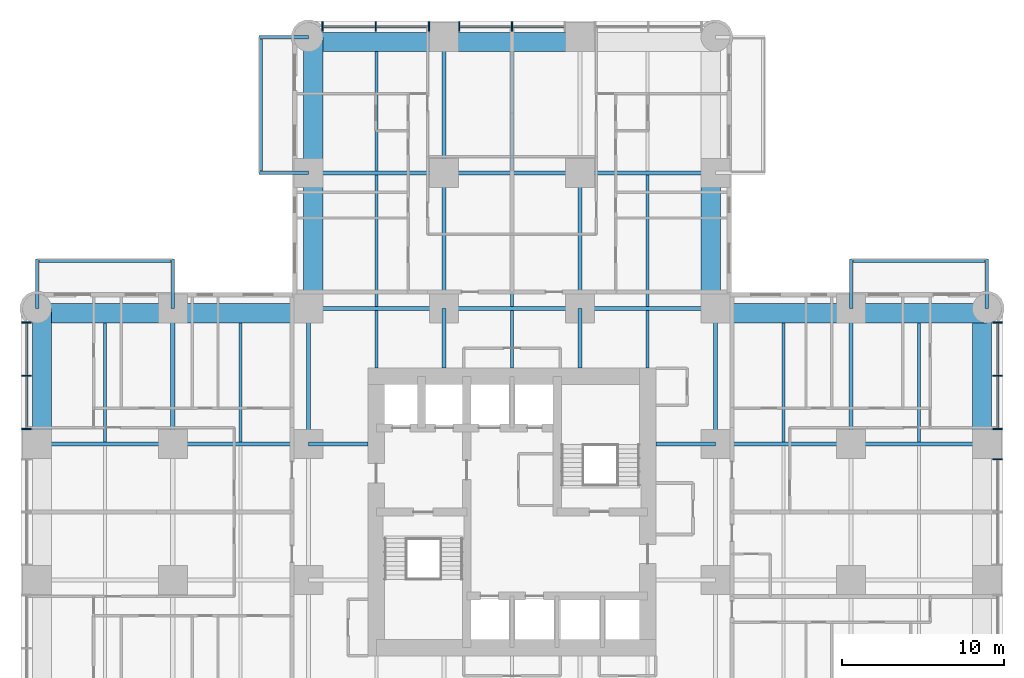
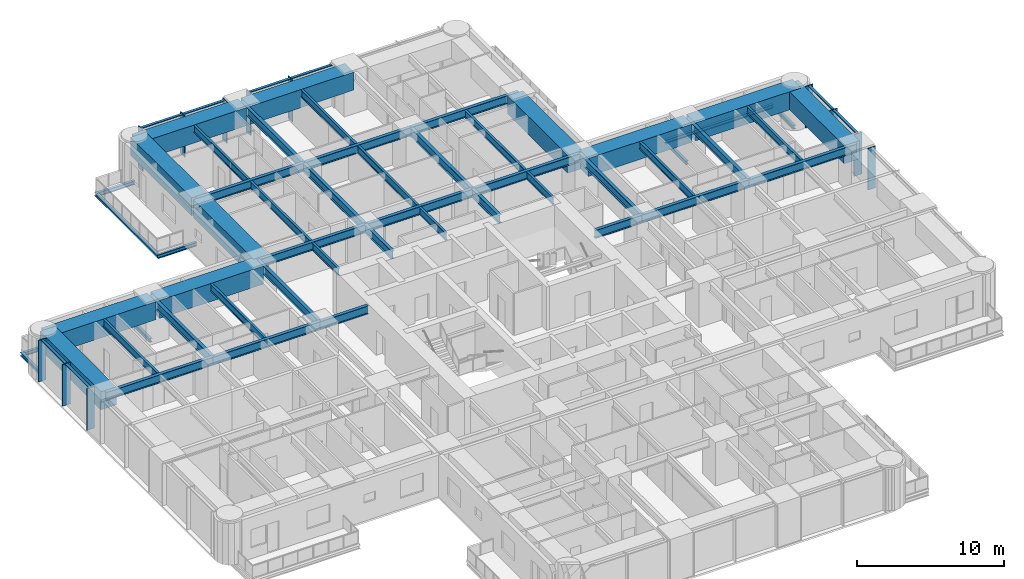
# One storey, part 4 of 17: 53 beams, 20 members, 3 elements without a shape of their own.
"""IFC4 building model written with IfcOpenShell, lengths in metres."""

import ifcopenshell
import ifcopenshell.guid

model = None  # the IFC model being written
_history = None  # IfcOwnerHistory: only IFC2X3 demands one
_inside = {}  # id of a spatial element -> (the spatial element, [elements in it])
_under = {}  # id of a project, library or spatial element -> (it, [spatial elements below it])
_declared = {}  # id of a project -> (the project, [libraries it declares])
_typed = {}  # id of a type object -> (the type object, [elements of that type])
_made_of = {}  # id of a material, layer set ... -> (it, [elements and type objects made of it])


def new_model(schema):
    """Start an empty IFC model of exactly this schema.

    Asked for "IFC4X3", IfcOpenShell would pick the latest addendum, in which some entities
    have other attributes; the version numbers below select the first issue.
    IFC2X3 requires an IfcOwnerHistory on every rooted entity: one is made here for all.
    """
    global model, _history
    if schema == "IFC4X3":
        model = ifcopenshell.file(schema_version=(4, 3, 0, 0))
    else:
        model = ifcopenshell.file(schema=schema)
    _inside.clear()
    _under.clear()
    _declared.clear()
    _typed.clear()
    _made_of.clear()
    _history = None
    if model.schema == "IFC2X3":
        org = make("IfcOrganization", Name="unknown")
        user = make(
            "IfcPersonAndOrganization",
            ThePerson=make("IfcPerson", FamilyName="unknown"),
            TheOrganization=org,
        )
        app = make(
            "IfcApplication",
            ApplicationDeveloper=org,
            Version="unknown",
            ApplicationFullName="unknown",
            ApplicationIdentifier="unknown",
        )
        _history = make(
            "IfcOwnerHistory",
            OwningUser=user,
            OwningApplication=app,
            ChangeAction="ADDED",
            CreationDate=0,
        )
    return model


def make(cls, **values):
    """One entity of the class cls with the attributes given. An attribute that is None is left unset."""
    return model.create_entity(
        cls, **{name: value for name, value in values.items() if value is not None}
    )


def rooted(cls, **values):
    """An entity with a GlobalId (a new one), such as an element, a storey or a relation."""
    return make(cls, GlobalId=ifcopenshell.guid.new(), OwnerHistory=_history, **values)


def si_unit(unit_type, name, prefix=None):
    """IfcSIUnit, for example si_unit("LENGTHUNIT", "METRE", prefix="MILLI")."""
    return make("IfcSIUnit", UnitType=unit_type, Prefix=prefix, Name=name)


def assignment(units):
    """IfcUnitAssignment: the units of a project."""
    return None if units is None else make("IfcUnitAssignment", Units=units)


def point(xyz):
    """IfcCartesianPoint."""
    return None if xyz is None else make("IfcCartesianPoint", Coordinates=xyz)


def direction(xyz):
    """IfcDirection."""
    return None if xyz is None else make("IfcDirection", DirectionRatios=xyz)


def frame(location, z_axis=None, x_axis=None):
    """IfcAxis2Placement3D, a coordinate frame: its origin and axes. An axis left out is left unset."""
    return make(
        "IfcAxis2Placement3D",
        Location=point(location),
        Axis=direction(z_axis),
        RefDirection=direction(x_axis),
    )


def frame_2d(location, x_axis=None):
    """IfcAxis2Placement2D, a coordinate frame in the plane: its origin and x axis."""
    return make(
        "IfcAxis2Placement2D", Location=point(location), RefDirection=direction(x_axis)
    )


def origin():
    """The frame at (0, 0, 0) with its axes left unset."""
    return frame((0.0, 0.0, 0.0))


def origin_2d():
    """The frame at (0, 0) in the plane with its x axis left unset."""
    return frame_2d((0.0, 0.0))


def place(relative_to, where):
    """IfcLocalPlacement: puts the frame where relative to a parent placement (None: the world)."""
    return make(
        "IfcLocalPlacement", PlacementRelTo=relative_to, RelativePlacement=where
    )


def context(
    kind, dimensions, precision=None, world=None, true_north=None, identifier=None
):
    """IfcGeometricRepresentationContext, for example the 3D "Model" context."""
    return make(
        "IfcGeometricRepresentationContext",
        ContextIdentifier=identifier,
        ContextType=kind,
        CoordinateSpaceDimension=dimensions,
        Precision=precision,
        WorldCoordinateSystem=world,
        TrueNorth=true_north,
    )


def subcontext(parent, identifier, kind, view, scale=None):
    """IfcGeometricRepresentationSubContext, for example "Body" below "Model"."""
    return make(
        "IfcGeometricRepresentationSubContext",
        ContextIdentifier=identifier,
        ContextType=kind,
        ParentContext=parent,
        TargetScale=scale,
        TargetView=view,
    )


def project(units=None, contexts=None):
    """IfcProject with its units and contexts."""
    return rooted(
        "IfcProject",
        Name="project",
        RepresentationContexts=contexts,
        UnitsInContext=assignment(units),
    )


def spatial(cls, under=None, at=None, **own):
    """A site, building, storey or space (cls), placed at a placement, below another one or the project."""
    s = rooted(cls, ObjectPlacement=at, **own)
    if under is not None:
        _under.setdefault(under.id(), (under, []))[1].append(s)
    return s


def profile(cls, at=None, kind="AREA", **sizes):
    """A parametric profile (cls). Its sizes go by their IFC names, for example OverallWidth=200.0."""
    return make(cls, ProfileType=kind, Position=at, **sizes)


def rectangle(**sizes):
    """IfcRectangleProfileDef."""
    return profile("IfcRectangleProfileDef", **sizes)


def i_section(**sizes):
    """IfcIShapeProfileDef."""
    return profile("IfcIShapeProfileDef", **sizes)


def extrude(swept, where, along, depth):
    """IfcExtrudedAreaSolid: the profile swept, set in the frame where, extruded along a direction by depth."""
    return make(
        "IfcExtrudedAreaSolid",
        SweptArea=swept,
        Position=where,
        ExtrudedDirection=direction(along),
        Depth=depth,
    )


def shape(context_of_items, identifier, shape_type, items):
    """IfcShapeRepresentation: the items that make up one representation, for example the "Body"."""
    return make(
        "IfcShapeRepresentation",
        ContextOfItems=context_of_items,
        RepresentationIdentifier=identifier,
        RepresentationType=shape_type,
        Items=items,
    )


def material(Name=None, Category=None):
    """IfcMaterial."""
    return make("IfcMaterial", Name=Name, Category=Category)


def material_profile(
    of_material, cross_section, Name=None, Category=None, Priority=None
):
    """IfcMaterialProfile: a cross section and its material."""
    return make(
        "IfcMaterialProfile",
        Name=Name,
        Material=of_material,
        Profile=cross_section,
        Priority=Priority,
        Category=Category,
    )


def profile_set(profiles, Name=None, composite=None):
    """IfcMaterialProfileSet."""
    return make(
        "IfcMaterialProfileSet",
        Name=Name,
        MaterialProfiles=profiles,
        CompositeProfile=composite,
    )


def made_of(thing, what):
    """Note that an element or type object is made of a material, layer set ...; save() writes the relation."""
    if what is not None:
        _made_of.setdefault(what.id(), (what, []))[1].append(thing)
    return thing


def type_object(cls, material=None, **own):
    """A type object (cls), such as IfcWallType, which elements share."""
    return made_of(rooted(cls, **own), material)


def element(
    cls,
    number,
    at=None,
    inside=None,
    cuts=None,
    type_object=None,
    material=None,
    context=None,
    identifier="Body",
    shape_type=None,
    held_by="IfcProductDefinitionShape",
    body=None,
    shapes=None,
    **own,
):
    """One element of the class cls, such as IfcWall. Its Tag is "e" and its number.

    at: its placement. inside: the storey or other place that contains it. cuts: it is an
    opening in that element (IfcRelVoidsElement). A single representation is given by context,
    identifier, shape_type and body (its items); several are given by shapes. held_by: the class
    of the entity that holds the representations. save() writes the other relations.
    """
    e = rooted(cls, Tag="e%d" % number, ObjectPlacement=at, **own)
    if body is not None:
        shapes = [shape(context, identifier, shape_type, body)]
    if shapes is not None:
        e.Representation = make(held_by, Representations=shapes)
    if inside is not None:
        _inside.setdefault(inside.id(), (inside, []))[1].append(e)
    if cuts is not None:
        rooted(
            "IfcRelVoidsElement", RelatingBuildingElement=cuts, RelatedOpeningElement=e
        )
    if type_object is not None:
        _typed.setdefault(type_object.id(), (type_object, []))[1].append(e)
    return made_of(e, material)


def aggregate(whole, parts):
    """IfcRelAggregates: a whole, such as a stair, and the parts it consists of."""
    return rooted("IfcRelAggregates", RelatingObject=whole, RelatedObjects=parts)


def save(model, path):
    """Write the relations noted so far, then the file.

    IfcRelAggregates (storeys below a building ...), IfcRelContainedInSpatialStructure (elements
    in a storey), IfcRelDefinesByType, IfcRelAssociatesMaterial and IfcRelDeclares: one each for
    every whole, place, type object, material and project.
    """
    for whole, parts in _under.values():
        aggregate(whole, parts)
    for where, things in _inside.values():
        rooted(
            "IfcRelContainedInSpatialStructure",
            RelatedElements=things,
            RelatingStructure=where,
        )
    for kind, things in _typed.values():
        rooted("IfcRelDefinesByType", RelatedObjects=things, RelatingType=kind)
    for what, things in _made_of.values():
        rooted("IfcRelAssociatesMaterial", RelatedObjects=things, RelatingMaterial=what)
    for by, libraries in _declared.values():
        rooted("IfcRelDeclares", RelatingContext=by, RelatedDefinitions=libraries)
    model.write(path)


model = new_model("IFC4")

# Units and contexts
model_context = context("Model", 3, precision=1e-05, world=origin(), true_north=direction((0.0, 1.0)))
body_context = subcontext(model_context, "Body", "Model", "MODEL_VIEW")
ifc_project = project(units=[si_unit("LENGTHUNIT", "METRE"), si_unit("AREAUNIT", "SQUARE_METRE"), si_unit("VOLUMEUNIT", "CUBIC_METRE"), si_unit("PLANEANGLEUNIT", "RADIAN"), si_unit("MASSUNIT", "GRAM", prefix="KILO")], contexts=[model_context])

# Site, building, storey
site_placement = place(None, origin())
site = spatial("IfcSite", under=ifc_project, at=site_placement, CompositionType="ELEMENT")
building_placement = place(site_placement, origin())
building = spatial("IfcBuilding", under=site, at=building_placement, Name="Torre Alcanfor", CompositionType="ELEMENT")
storey_placement = place(building_placement, frame((0.0, 0.0, 56.10009765625)))
storey = spatial("IfcBuildingStorey", under=building, at=storey_placement, Name="L13", CompositionType="ELEMENT", Elevation=56.10009765625)

# Beams
ifc_material_1 = material(Name="Steel ASTM A992 Grade 50", Category="steel")
ifc_material_profile_1 = material_profile(ifc_material_1, i_section(OverallWidth=0.205322265625, OverallDepth=0.309814453125, WebThickness=0.00927734375, FlangeThickness=0.016357421875, at=origin_2d()), Name="W12x50")
ifc_profile_set_1 = profile_set([ifc_material_profile_1], Name="Steel ASTM A992 Grade 50")
beam_type_1 = type_object("IfcBeamType", Name="Balcony cantilever beam W12x50", PredefinedType="BEAM", material=ifc_profile_set_1)
for number, where, z_axis, x_axis, name in (
    (1, (16.800048828125, 50.39990234375, -0.35498046875), (-1.0, 0.0, 0.0), (0.0, -1.0, 0.0), "Balcony cantilever beam L13-N1 1"),
    (2, (16.800048828125, 58.800048828125, -0.35498046875), (-1.0, 0.0, 0.0), (0.0, -1.0, 0.0), "Balcony cantilever beam L13-N1 2"),
    (3, (50.39990234375, 42.0, -0.35498046875), (0.0, 1.0, 0.0), (-1.0, 0.0, 0.0), "Balcony cantilever beam L13-E1 1"),
    (4, (58.800048828125, 42.0, -0.35498046875), (0.0, 1.0, 0.0), (-1.0, 0.0, 0.0), "Balcony cantilever beam L13-E1 2"),
    (5, (8.39990234375, 42.0, -0.35498046875), (0.0, 1.0, 0.0), (-1.0, 0.0, 0.0), "Balcony cantilever beam L13-W2 1"),
    (6, (0.0, 42.0, -0.35498046875), (0.0, 1.0, 0.0), (-1.0, 0.0, 0.0), "Balcony cantilever beam L13-W2 2"),
):
    element("IfcBeam", number, at=place(storey_placement, frame(where, z_axis=z_axis, x_axis=x_axis)), inside=storey, type_object=beam_type_1, Name=name, PredefinedType="BEAM", context=body_context, shape_type="SweptSolid", body=[
        extrude(i_section(OverallWidth=0.205322265625, OverallDepth=0.309814453125, WebThickness=0.00927734375, FlangeThickness=0.016357421875, at=origin_2d()), origin(), (0.0, 0.0, 1.0), 3.050048828125),
    ])
ifc_material_2 = material(Name="Steel ASTM A992 Grade 50", Category="steel")
ifc_material_profile_2 = material_profile(ifc_material_2, i_section(OverallWidth=0.203369140625, OverallDepth=0.30224609375, WebThickness=0.007568359375, FlangeThickness=0.01318359375, at=origin_2d()), Name="W12x40")
ifc_profile_set_2 = profile_set([ifc_material_profile_2], Name="Steel ASTM A992 Grade 50")
beam_type_2 = type_object("IfcBeamType", Name="Balcony edge trimmer W12x40", PredefinedType="BEAM", material=ifc_profile_set_2)
for number, where, z_axis, x_axis, name in (
    (7, (13.851806640625, 50.39990234375, -0.351318359375), (0.0, 1.0, 0.0), (-1.0, 0.0, 0.0), "Balcony edge trimmer L13-N1"),
    (8, (50.39990234375, 44.9482421875, -0.351318359375), (1.0, 0.0, 0.0), (0.0, 1.0, 0.0), "Balcony edge trimmer L13-E1"),
):
    element("IfcBeam", number, at=place(storey_placement, frame(where, z_axis=z_axis, x_axis=x_axis)), inside=storey, type_object=beam_type_2, Name=name, PredefinedType="BEAM", context=body_context, shape_type="SweptSolid", body=[
        extrude(i_section(OverallWidth=0.203369140625, OverallDepth=0.30224609375, WebThickness=0.007568359375, FlangeThickness=0.01318359375, at=origin_2d()), origin(), (0.0, 0.0, 1.0), 8.400146484375),
    ])
beam_1_placement = place(storey_placement, frame((8.39990234375, 44.9482421875, -0.351318359375), z_axis=(-1.0, 0.0, 0.0), x_axis=(0.0, -1.0, 0.0)))
element("IfcBeam", 9, at=beam_1_placement, inside=storey, type_object=beam_type_2, Name="Balcony edge trimmer L13-W2", PredefinedType="BEAM", context=body_context, shape_type="SweptSolid", body=[
    extrude(i_section(OverallWidth=0.203369140625, OverallDepth=0.30224609375, WebThickness=0.007568359375, FlangeThickness=0.01318359375, at=origin_2d()), origin(), (0.0, 0.0, 1.0), 8.39990234375),
])

# Curtain wall, members
ifc_material_3 = material(Name="Aluminium and glass", Category="aluminium")
curtain_wall_type = type_object("IfcCurtainWallType", Name="CW-A unitised apartment glazing with vertical FIN", PredefinedType="NOTDEFINED", material=ifc_material_3)
curtain_wall_1_placement = place(storey_placement, origin())
curtain_wall_1 = element("IfcCurtainWall", 10, at=curtain_wall_1_placement, inside=storey, type_object=curtain_wall_type, Name="Curtain wall CW-A L13 2", PredefinedType="NOTDEFINED")
ifc_material_4 = material(Name="Bronze anodised aluminium", Category="aluminium")
ifc_material_profile_3 = material_profile(ifc_material_4, rectangle(XDim=0.60009765625, YDim=0.06494140625, at=origin_2d()), Name="CW-A mullion 65x600")
ifc_profile_set_3 = profile_set([ifc_material_profile_3], Name="Bronze anodised aluminium")
member_type_1 = type_object("IfcMemberType", Name="CW-A mullion with vertical FIN 65x600", PredefinedType="MULLION", material=ifc_profile_set_3)
member_1_placement = place(storey_placement, frame((-0.64990234375, 41.133056640625, 0.0), z_axis=(0.0, 0.0, 1.0), x_axis=(1.0, 0.0, 0.0)))
member_1 = element("IfcMember", 11, at=member_1_placement, type_object=member_type_1, Name="CW-A mullion 1.1", PredefinedType="MULLION", context=body_context, shape_type="SweptSolid", body=[
    extrude(rectangle(XDim=0.60009765625, YDim=0.06494140625, at=origin_2d()), origin(), (0.0, 0.0, 1.0), 3.449951171875),
])
member_2_placement = place(storey_placement, frame((-0.64990234375, 37.835205078125, 0.0), z_axis=(0.0, 0.0, 1.0), x_axis=(1.0, 0.0, 0.0)))
member_2 = element("IfcMember", 12, at=member_2_placement, type_object=member_type_1, Name="CW-A mullion 1.2", PredefinedType="MULLION", context=body_context, shape_type="SweptSolid", body=[
    extrude(rectangle(XDim=0.60009765625, YDim=0.06494140625, at=origin_2d()), origin(), (0.0, 0.0, 1.0), 3.449951171875),
])
member_3_placement = place(storey_placement, frame((-0.64990234375, 34.53759765625, 0.0), z_axis=(0.0, 0.0, 1.0), x_axis=(1.0, 0.0, 0.0)))
member_3 = element("IfcMember", 13, at=member_3_placement, type_object=member_type_1, Name="CW-A mullion 1.3", PredefinedType="MULLION", context=body_context, shape_type="SweptSolid", body=[
    extrude(rectangle(XDim=0.60009765625, YDim=0.06494140625, at=origin_2d()), origin(), (0.0, 0.0, 1.0), 3.449951171875),
])

curtain_wall_2_placement = place(storey_placement, origin())
curtain_wall_2 = element("IfcCurtainWall", 14, at=curtain_wall_2_placement, inside=storey, type_object=curtain_wall_type, Name="Curtain wall CW-A L13 8", PredefinedType="NOTDEFINED")
member_4_placement = place(storey_placement, frame((59.449951171875, 32.66259765625, 0.0), z_axis=(0.0, 0.0, 1.0), x_axis=(-1.0, 0.0, 0.0)))
member_4 = element("IfcMember", 15, at=member_4_placement, type_object=member_type_1, Name="CW-A mullion 2.3", PredefinedType="MULLION", context=body_context, shape_type="SweptSolid", body=[
    extrude(rectangle(XDim=0.60009765625, YDim=0.06494140625, at=origin_2d()), origin(), (0.0, 0.0, 1.0), 3.449951171875),
])
member_5_placement = place(storey_placement, frame((59.449951171875, 34.53759765625, 0.0), z_axis=(0.0, 0.0, 1.0), x_axis=(-1.0, 0.0, 0.0)))
member_5 = element("IfcMember", 16, at=member_5_placement, type_object=member_type_1, Name="CW-A mullion 3.1", PredefinedType="MULLION", context=body_context, shape_type="SweptSolid", body=[
    extrude(rectangle(XDim=0.60009765625, YDim=0.06494140625, at=origin_2d()), origin(), (0.0, 0.0, 1.0), 3.449951171875),
])
member_6_placement = place(storey_placement, frame((59.449951171875, 37.835205078125, 0.0), z_axis=(0.0, 0.0, 1.0), x_axis=(-1.0, 0.0, 0.0)))
member_6 = element("IfcMember", 17, at=member_6_placement, type_object=member_type_1, Name="CW-A mullion 3.2", PredefinedType="MULLION", context=body_context, shape_type="SweptSolid", body=[
    extrude(rectangle(XDim=0.60009765625, YDim=0.06494140625, at=origin_2d()), origin(), (0.0, 0.0, 1.0), 3.449951171875),
])
member_7_placement = place(storey_placement, frame((59.449951171875, 41.133056640625, 0.0), z_axis=(0.0, 0.0, 1.0), x_axis=(-1.0, 0.0, 0.0)))
member_7 = element("IfcMember", 18, at=member_7_placement, type_object=member_type_1, Name="CW-A mullion 3.3", PredefinedType="MULLION", context=body_context, shape_type="SweptSolid", body=[
    extrude(rectangle(XDim=0.60009765625, YDim=0.06494140625, at=origin_2d()), origin(), (0.0, 0.0, 1.0), 3.449951171875),
])

curtain_wall_3_placement = place(storey_placement, origin())
curtain_wall_3 = element("IfcCurtainWall", 19, at=curtain_wall_3_placement, inside=storey, type_object=curtain_wall_type, Name="Curtain wall CW-A L13 11", PredefinedType="NOTDEFINED")
member_8_placement = place(storey_placement, frame((29.39990234375, 59.449951171875, 0.0), z_axis=(0.0, 0.0, 1.0), x_axis=(0.0, -1.0, 0.0)))
member_8 = element("IfcMember", 20, at=member_8_placement, type_object=member_type_1, Name="CW-A mullion 2.2", PredefinedType="MULLION", context=body_context, shape_type="SweptSolid", body=[
    extrude(rectangle(XDim=0.60009765625, YDim=0.06494140625, at=origin_2d()), origin(), (0.0, 0.0, 1.0), 3.449951171875),
])
member_9_placement = place(storey_placement, frame((26.137451171875, 59.449951171875, 0.0), z_axis=(0.0, 0.0, 1.0), x_axis=(0.0, -1.0, 0.0)))
member_9 = element("IfcMember", 21, at=member_9_placement, type_object=member_type_1, Name="CW-A mullion 2.3", PredefinedType="MULLION", context=body_context, shape_type="SweptSolid", body=[
    extrude(rectangle(XDim=0.60009765625, YDim=0.06494140625, at=origin_2d()), origin(), (0.0, 0.0, 1.0), 3.449951171875),
])
member_10_placement = place(storey_placement, frame((24.262451171875, 59.449951171875, 0.0), z_axis=(0.0, 0.0, 1.0), x_axis=(0.0, -1.0, 0.0)))
member_10 = element("IfcMember", 22, at=member_10_placement, type_object=member_type_1, Name="CW-A mullion 3.1", PredefinedType="MULLION", context=body_context, shape_type="SweptSolid", body=[
    extrude(rectangle(XDim=0.60009765625, YDim=0.06494140625, at=origin_2d()), origin(), (0.0, 0.0, 1.0), 3.449951171875),
])
member_11_placement = place(storey_placement, frame((20.96484375, 59.449951171875, 0.0), z_axis=(0.0, 0.0, 1.0), x_axis=(0.0, -1.0, 0.0)))
member_11 = element("IfcMember", 23, at=member_11_placement, type_object=member_type_1, Name="CW-A mullion 3.2", PredefinedType="MULLION", context=body_context, shape_type="SweptSolid", body=[
    extrude(rectangle(XDim=0.60009765625, YDim=0.06494140625, at=origin_2d()), origin(), (0.0, 0.0, 1.0), 3.449951171875),
])
member_12_placement = place(storey_placement, frame((17.6669921875, 59.449951171875, 0.0), z_axis=(0.0, 0.0, 1.0), x_axis=(0.0, -1.0, 0.0)))
member_12 = element("IfcMember", 24, at=member_12_placement, type_object=member_type_1, Name="CW-A mullion 3.3", PredefinedType="MULLION", context=body_context, shape_type="SweptSolid", body=[
    extrude(rectangle(XDim=0.60009765625, YDim=0.06494140625, at=origin_2d()), origin(), (0.0, 0.0, 1.0), 3.449951171875),
])

# Member
ifc_material_5 = material(Name="Extruded aluminium", Category="aluminium")
ifc_material_profile_4 = material_profile(ifc_material_5, rectangle(XDim=0.199951171875, YDim=0.06494140625, at=origin_2d()), Name="CW-A transom 200x65")
ifc_profile_set_4 = profile_set([ifc_material_profile_4], Name="Extruded aluminium")
member_type_2 = type_object("IfcMemberType", Name="CW-A transom 65x200", PredefinedType="USERDEFINED", material=ifc_profile_set_4)
member_13_placement = place(storey_placement, frame((-0.64990234375, 41.1005859375, 3.41748046875), z_axis=(0.0, -1.0, 0.0), x_axis=(1.0, 0.0, 0.0)))
member_13 = element("IfcMember", 25, at=member_13_placement, type_object=member_type_2, Name="CW-A transom 1.1.2", ObjectType="TRANSOM", PredefinedType="USERDEFINED", context=body_context, shape_type="SweptSolid", body=[
    extrude(rectangle(XDim=0.199951171875, YDim=0.06494140625, at=origin_2d()), origin(), (0.0, 0.0, 1.0), 3.23291015625),
])

member_14_placement = place(storey_placement, frame((-0.64990234375, 37.802734375, 3.41748046875), z_axis=(0.0, -1.0, 0.0), x_axis=(1.0, 0.0, 0.0)))
member_14 = element("IfcMember", 26, at=member_14_placement, type_object=member_type_2, Name="CW-A transom 1.2.2", ObjectType="TRANSOM", PredefinedType="USERDEFINED", context=body_context, shape_type="SweptSolid", body=[
    extrude(rectangle(XDim=0.199951171875, YDim=0.06494140625, at=origin_2d()), origin(), (0.0, 0.0, 1.0), 3.232666015625),
])

aggregate(curtain_wall_1, [member_1, member_2, member_3, member_13, member_14])

member_15_placement = place(storey_placement, frame((59.449951171875, 34.570068359375, 3.41748046875), z_axis=(0.0, 1.0, 0.0), x_axis=(-1.0, 0.0, 0.0)))
member_15 = element("IfcMember", 27, at=member_15_placement, type_object=member_type_2, Name="CW-A transom 3.1.2", ObjectType="TRANSOM", PredefinedType="USERDEFINED", context=body_context, shape_type="SweptSolid", body=[
    extrude(rectangle(XDim=0.199951171875, YDim=0.06494140625, at=origin_2d()), origin(), (0.0, 0.0, 1.0), 3.232666015625),
])

member_16_placement = place(storey_placement, frame((59.449951171875, 37.86767578125, 3.41748046875), z_axis=(0.0, 1.0, 0.0), x_axis=(-1.0, 0.0, 0.0)))
member_16 = element("IfcMember", 28, at=member_16_placement, type_object=member_type_2, Name="CW-A transom 3.2.2", ObjectType="TRANSOM", PredefinedType="USERDEFINED", context=body_context, shape_type="SweptSolid", body=[
    extrude(rectangle(XDim=0.199951171875, YDim=0.06494140625, at=origin_2d()), origin(), (0.0, 0.0, 1.0), 3.23291015625),
])

aggregate(curtain_wall_2, [member_4, member_5, member_6, member_7, member_15, member_16])

member_17_placement = place(storey_placement, frame((32.6298828125, 59.449951171875, 3.41748046875), z_axis=(-1.0, 0.0, 0.0), x_axis=(0.0, -1.0, 0.0)))
member_17 = element("IfcMember", 29, at=member_17_placement, type_object=member_type_2, Name="CW-A transom 2.1.2", ObjectType="TRANSOM", PredefinedType="USERDEFINED", context=body_context, shape_type="SweptSolid", body=[
    extrude(rectangle(XDim=0.199951171875, YDim=0.06494140625, at=origin_2d()), origin(), (0.0, 0.0, 1.0), 3.197265625),
])

member_18_placement = place(storey_placement, frame((29.367431640625, 59.449951171875, 3.41748046875), z_axis=(-1.0, 0.0, 0.0), x_axis=(0.0, -1.0, 0.0)))
member_18 = element("IfcMember", 30, at=member_18_placement, type_object=member_type_2, Name="CW-A transom 2.2.2", ObjectType="TRANSOM", PredefinedType="USERDEFINED", context=body_context, shape_type="SweptSolid", body=[
    extrude(rectangle(XDim=0.199951171875, YDim=0.06494140625, at=origin_2d()), origin(), (0.0, 0.0, 1.0), 3.197509765625),
])

member_19_placement = place(storey_placement, frame((24.22998046875, 59.449951171875, 3.41748046875), z_axis=(-1.0, 0.0, 0.0), x_axis=(0.0, -1.0, 0.0)))
member_19 = element("IfcMember", 31, at=member_19_placement, type_object=member_type_2, Name="CW-A transom 3.1.2", ObjectType="TRANSOM", PredefinedType="USERDEFINED", context=body_context, shape_type="SweptSolid", body=[
    extrude(rectangle(XDim=0.199951171875, YDim=0.06494140625, at=origin_2d()), origin(), (0.0, 0.0, 1.0), 3.232666015625),
])

member_20_placement = place(storey_placement, frame((20.93212890625, 59.449951171875, 3.41748046875), z_axis=(-1.0, 0.0, 0.0), x_axis=(0.0, -1.0, 0.0)))
member_20 = element("IfcMember", 32, at=member_20_placement, type_object=member_type_2, Name="CW-A transom 3.2.2", ObjectType="TRANSOM", PredefinedType="USERDEFINED", context=body_context, shape_type="SweptSolid", body=[
    extrude(rectangle(XDim=0.199951171875, YDim=0.06494140625, at=origin_2d()), origin(), (0.0, 0.0, 1.0), 3.232666015625),
])

aggregate(curtain_wall_3, [member_8, member_9, member_17, member_18, member_10, member_11, member_12, member_19, member_20])

# Beams
ifc_material_6 = material(Name="Steel ASTM A992 Grade 50", Category="steel")
ifc_material_profile_5 = material_profile(ifc_material_6, i_section(OverallWidth=0.25390625, OverallDepth=0.683349609375, WebThickness=0.012451171875, FlangeThickness=0.01904296875, at=origin_2d()), Name="W27x94")
ifc_profile_set_5 = profile_set([ifc_material_profile_5], Name="Steel ASTM A992 Grade 50")
beam_type_3 = type_object("IfcBeamType", Name="Girder W27x94", PredefinedType="BEAM", material=ifc_profile_set_5)
beam_2_placement = place(storey_placement, frame((0.0, 33.60009765625, 3.108154296875), z_axis=(1.0, 0.0, 0.0), x_axis=(0.0, 1.0, 0.0)))
element("IfcBeam", 33, at=beam_2_placement, inside=storey, type_object=beam_type_3, Name="Beam 1G-2G under L14", PredefinedType="BEAM", context=body_context, shape_type="SweptSolid", body=[
    extrude(i_section(OverallWidth=0.25390625, OverallDepth=0.683349609375, WebThickness=0.012451171875, FlangeThickness=0.01904296875, at=origin_2d()), origin(), (0.0, 0.0, 1.0), 8.39990234375),
])
beam_3_placement = place(storey_placement, frame((8.39990234375, 33.60009765625, 3.108154296875), z_axis=(1.0, 0.0, 0.0), x_axis=(0.0, 1.0, 0.0)))
element("IfcBeam", 34, at=beam_3_placement, inside=storey, type_object=beam_type_3, Name="Beam 2G-3G under L14", PredefinedType="BEAM", context=body_context, shape_type="SweptSolid", body=[
    extrude(i_section(OverallWidth=0.25390625, OverallDepth=0.683349609375, WebThickness=0.012451171875, FlangeThickness=0.01904296875, at=origin_2d()), origin(), (0.0, 0.0, 1.0), 8.400146484375),
])
beam_4_placement = place(storey_placement, frame((42.0, 33.60009765625, 3.108154296875), z_axis=(1.0, 0.0, 0.0), x_axis=(0.0, 1.0, 0.0)))
element("IfcBeam", 35, at=beam_4_placement, inside=storey, type_object=beam_type_3, Name="Beam 6G-7G under L14", PredefinedType="BEAM", context=body_context, shape_type="SweptSolid", body=[
    extrude(i_section(OverallWidth=0.25390625, OverallDepth=0.683349609375, WebThickness=0.012451171875, FlangeThickness=0.01904296875, at=origin_2d()), origin(), (0.0, 0.0, 1.0), 8.39990234375),
])
beam_5_placement = place(storey_placement, frame((50.39990234375, 33.60009765625, 3.108154296875), z_axis=(1.0, 0.0, 0.0), x_axis=(0.0, 1.0, 0.0)))
element("IfcBeam", 36, at=beam_5_placement, inside=storey, type_object=beam_type_3, Name="Beam 7G-8G under L14", PredefinedType="BEAM", context=body_context, shape_type="SweptSolid", body=[
    extrude(i_section(OverallWidth=0.25390625, OverallDepth=0.683349609375, WebThickness=0.012451171875, FlangeThickness=0.01904296875, at=origin_2d()), origin(), (0.0, 0.0, 1.0), 8.400146484375),
])
beam_6_placement = place(storey_placement, frame((16.800048828125, 42.0, 3.108154296875), z_axis=(1.0, 0.0, 0.0), x_axis=(0.0, 1.0, 0.0)))
element("IfcBeam", 37, at=beam_6_placement, inside=storey, type_object=beam_type_3, Name="Beam 3H-4H under L14", PredefinedType="BEAM", context=body_context, shape_type="SweptSolid", body=[
    extrude(i_section(OverallWidth=0.25390625, OverallDepth=0.683349609375, WebThickness=0.012451171875, FlangeThickness=0.01904296875, at=origin_2d()), origin(), (0.0, 0.0, 1.0), 8.39990234375),
])
beam_7_placement = place(storey_placement, frame((25.199951171875, 42.0, 3.108154296875), z_axis=(1.0, 0.0, 0.0), x_axis=(0.0, 1.0, 0.0)))
element("IfcBeam", 38, at=beam_7_placement, inside=storey, type_object=beam_type_3, Name="Beam 4H-5H under L14", PredefinedType="BEAM", context=body_context, shape_type="SweptSolid", body=[
    extrude(i_section(OverallWidth=0.25390625, OverallDepth=0.683349609375, WebThickness=0.012451171875, FlangeThickness=0.01904296875, at=origin_2d()), origin(), (0.0, 0.0, 1.0), 8.400146484375),
])
for number, where, z_axis, x_axis, name in (
    (39, (33.60009765625, 42.0, 3.108154296875), (1.0, 0.0, 0.0), (0.0, 1.0, 0.0), "Beam 5H-6H under L14"),
    (40, (16.800048828125, 50.39990234375, 3.108154296875), (1.0, 0.0, 0.0), (0.0, 1.0, 0.0), "Beam 3J-4J under L14"),
):
    element("IfcBeam", number, at=place(storey_placement, frame(where, z_axis=z_axis, x_axis=x_axis)), inside=storey, type_object=beam_type_3, Name=name, PredefinedType="BEAM", context=body_context, shape_type="SweptSolid", body=[
        extrude(i_section(OverallWidth=0.25390625, OverallDepth=0.683349609375, WebThickness=0.012451171875, FlangeThickness=0.01904296875, at=origin_2d()), origin(), (0.0, 0.0, 1.0), 8.39990234375),
    ])
beam_8_placement = place(storey_placement, frame((25.199951171875, 50.39990234375, 3.108154296875), z_axis=(1.0, 0.0, 0.0), x_axis=(0.0, 1.0, 0.0)))
element("IfcBeam", 41, at=beam_8_placement, inside=storey, type_object=beam_type_3, Name="Beam 4J-5J under L14", PredefinedType="BEAM", context=body_context, shape_type="SweptSolid", body=[
    extrude(i_section(OverallWidth=0.25390625, OverallDepth=0.683349609375, WebThickness=0.012451171875, FlangeThickness=0.01904296875, at=origin_2d()), origin(), (0.0, 0.0, 1.0), 8.400146484375),
])
for number, where, z_axis, x_axis, name in (
    (42, (33.60009765625, 50.39990234375, 3.108154296875), (1.0, 0.0, 0.0), (0.0, 1.0, 0.0), "Beam 5J-6J under L14"),
    (43, (8.39990234375, 33.60009765625, 3.108154296875), (0.0, 1.0, 0.0), (-1.0, 0.0, 0.0), "Beam 2G-2H under L14"),
    (44, (16.800048828125, 33.60009765625, 3.108154296875), (0.0, 1.0, 0.0), (-1.0, 0.0, 0.0), "Beam 3G-3H under L14"),
    (45, (25.199951171875, 42.0, 3.108154296875), (0.0, 1.0, 0.0), (-1.0, 0.0, 0.0), "Beam 4H-4J under L14"),
):
    element("IfcBeam", number, at=place(storey_placement, frame(where, z_axis=z_axis, x_axis=x_axis)), inside=storey, type_object=beam_type_3, Name=name, PredefinedType="BEAM", context=body_context, shape_type="SweptSolid", body=[
        extrude(i_section(OverallWidth=0.25390625, OverallDepth=0.683349609375, WebThickness=0.012451171875, FlangeThickness=0.01904296875, at=origin_2d()), origin(), (0.0, 0.0, 1.0), 8.39990234375),
    ])
beam_9_placement = place(storey_placement, frame((25.199951171875, 50.39990234375, 3.108154296875), z_axis=(0.0, 1.0, 0.0), x_axis=(-1.0, 0.0, 0.0)))
element("IfcBeam", 46, at=beam_9_placement, inside=storey, type_object=beam_type_3, Name="Beam 4J-4K under L14", PredefinedType="BEAM", context=body_context, shape_type="SweptSolid", body=[
    extrude(i_section(OverallWidth=0.25390625, OverallDepth=0.683349609375, WebThickness=0.012451171875, FlangeThickness=0.01904296875, at=origin_2d()), origin(), (0.0, 0.0, 1.0), 8.400146484375),
])
for number, where, z_axis, x_axis, name in (
    (47, (33.60009765625, 42.0, 3.108154296875), (0.0, 1.0, 0.0), (-1.0, 0.0, 0.0), "Beam 5H-5J under L14"),
    (48, (42.0, 33.60009765625, 3.108154296875), (0.0, 1.0, 0.0), (-1.0, 0.0, 0.0), "Beam 6G-6H under L14"),
    (49, (50.39990234375, 33.60009765625, 3.108154296875), (0.0, 1.0, 0.0), (-1.0, 0.0, 0.0), "Beam 7G-7H under L14"),
):
    element("IfcBeam", number, at=place(storey_placement, frame(where, z_axis=z_axis, x_axis=x_axis)), inside=storey, type_object=beam_type_3, Name=name, PredefinedType="BEAM", context=body_context, shape_type="SweptSolid", body=[
        extrude(i_section(OverallWidth=0.25390625, OverallDepth=0.683349609375, WebThickness=0.012451171875, FlangeThickness=0.01904296875, at=origin_2d()), origin(), (0.0, 0.0, 1.0), 8.39990234375),
    ])
ifc_material_7 = material(Name="Steel ASTM A992 Grade 50", Category="steel")
ifc_material_profile_6 = material_profile(ifc_material_7, i_section(OverallWidth=0.25390625, OverallDepth=0.683349609375, WebThickness=0.012451171875, FlangeThickness=0.01904296875, at=origin_2d()), Name="W27x94")
ifc_profile_set_6 = profile_set([ifc_material_profile_6], Name="Steel ASTM A992 Grade 50")
beam_type_4 = type_object("IfcBeamType", Name="Girder, part bay W27x94", PredefinedType="BEAM", material=ifc_profile_set_6)
for number, where, z_axis, x_axis, name in (
    (50, (25.199951171875, 42.0, 3.108154296875), (0.0, -1.0, 0.0), (1.0, 0.0, 0.0), "Beam 4H-438_3 under L14"),
    (51, (33.60009765625, 42.0, 3.108154296875), (0.0, -1.0, 0.0), (1.0, 0.0, 0.0), "Beam 5H-538_3 under L14"),
    (52, (16.800048828125, 33.60009765625, 3.108154296875), (1.0, 0.0, 0.0), (0.0, 1.0, 0.0), "Beam 3G-20_5G under L14"),
    (53, (42.0, 33.60009765625, 3.108154296875), (-1.0, 0.0, 0.0), (0.0, -1.0, 0.0), "Beam 6G-38_3G under L14"),
):
    element("IfcBeam", number, at=place(storey_placement, frame(where, z_axis=z_axis, x_axis=x_axis)), inside=storey, type_object=beam_type_4, Name=name, PredefinedType="BEAM", context=body_context, shape_type="SweptSolid", body=[
        extrude(i_section(OverallWidth=0.25390625, OverallDepth=0.683349609375, WebThickness=0.012451171875, FlangeThickness=0.01904296875, at=origin_2d()), origin(), (0.0, 0.0, 1.0), 3.699951171875),
    ])
ifc_material_8 = material(Name="Concrete f'c 70 MPa", Category="concrete")
ifc_material_profile_7 = material_profile(ifc_material_8, rectangle(XDim=1.199951171875, YDim=1.5, at=origin_2d()), Name="1200x1500")
ifc_profile_set_7 = profile_set([ifc_material_profile_7], Name="Concrete f'c 70 MPa")
beam_type_5 = type_object("IfcBeamType", Name="RC perimeter beam 1200x1500", PredefinedType="BEAM", material=ifc_profile_set_7)
beam_10_placement = place(storey_placement, frame((0.0, 41.699951171875, 2.699951171875), z_axis=(1.0, 0.0, 0.0), x_axis=(0.0, 1.0, 0.0)))
element("IfcBeam", 54, at=beam_10_placement, inside=storey, type_object=beam_type_5, Name="Beam 1H-2H under L14", PredefinedType="BEAM", context=body_context, shape_type="SweptSolid", body=[
    extrude(rectangle(XDim=1.199951171875, YDim=1.5, at=origin_2d()), origin(), (0.0, 0.0, 1.0), 8.27294921875),
])
for number, where, z_axis, x_axis, name in (
    (55, (8.527099609375, 41.699951171875, 2.699951171875), (1.0, 0.0, 0.0), (0.0, 1.0, 0.0), "Beam 2H-3H under L14"),
    (56, (42.126953125, 41.699951171875, 2.699951171875), (1.0, 0.0, 0.0), (0.0, 1.0, 0.0), "Beam 6H-7H under L14"),
):
    element("IfcBeam", number, at=place(storey_placement, frame(where, z_axis=z_axis, x_axis=x_axis)), inside=storey, type_object=beam_type_5, Name=name, PredefinedType="BEAM", context=body_context, shape_type="SweptSolid", body=[
        extrude(rectangle(XDim=1.199951171875, YDim=1.5, at=origin_2d()), origin(), (0.0, 0.0, 1.0), 8.14599609375),
    ])
for number, where, z_axis, x_axis, name in (
    (57, (50.527099609375, 41.699951171875, 2.699951171875), (1.0, 0.0, 0.0), (0.0, 1.0, 0.0), "Beam 7H-8H under L14"),
    (58, (16.800048828125, 58.5, 2.699951171875), (1.0, 0.0, 0.0), (0.0, 1.0, 0.0), "Beam 3K-4K under L14"),
):
    element("IfcBeam", number, at=place(storey_placement, frame(where, z_axis=z_axis, x_axis=x_axis)), inside=storey, type_object=beam_type_5, Name=name, PredefinedType="BEAM", context=body_context, shape_type="SweptSolid", body=[
        extrude(rectangle(XDim=1.199951171875, YDim=1.5, at=origin_2d()), origin(), (0.0, 0.0, 1.0), 8.27294921875),
    ])
beam_11_placement = place(storey_placement, frame((25.326904296875, 58.5, 2.699951171875), z_axis=(1.0, 0.0, 0.0), x_axis=(0.0, 1.0, 0.0)))
element("IfcBeam", 59, at=beam_11_placement, inside=storey, type_object=beam_type_5, Name="Beam 4K-5K under L14", PredefinedType="BEAM", context=body_context, shape_type="SweptSolid", body=[
    extrude(rectangle(XDim=1.199951171875, YDim=1.5, at=origin_2d()), origin(), (0.0, 0.0, 1.0), 8.14599609375),
])
beam_12_placement = place(storey_placement, frame((0.300048828125, 33.72705078125, 2.699951171875), z_axis=(0.0, 1.0, 0.0), x_axis=(-1.0, 0.0, 0.0)))
element("IfcBeam", 60, at=beam_12_placement, inside=storey, type_object=beam_type_5, Name="Beam 1G-1H under L14", PredefinedType="BEAM", context=body_context, shape_type="SweptSolid", body=[
    extrude(rectangle(XDim=1.199951171875, YDim=1.5, at=origin_2d()), origin(), (0.0, 0.0, 1.0), 8.27294921875),
])
beam_13_placement = place(storey_placement, frame((17.10009765625, 42.126953125, 2.699951171875), z_axis=(0.0, 1.0, 0.0), x_axis=(-1.0, 0.0, 0.0)))
element("IfcBeam", 61, at=beam_13_placement, inside=storey, type_object=beam_type_5, Name="Beam 3H-3J under L14", PredefinedType="BEAM", context=body_context, shape_type="SweptSolid", body=[
    extrude(rectangle(XDim=1.199951171875, YDim=1.5, at=origin_2d()), origin(), (0.0, 0.0, 1.0), 8.14599609375),
])
beam_14_placement = place(storey_placement, frame((17.10009765625, 50.527099609375, 2.699951171875), z_axis=(0.0, 1.0, 0.0), x_axis=(-1.0, 0.0, 0.0)))
element("IfcBeam", 62, at=beam_14_placement, inside=storey, type_object=beam_type_5, Name="Beam 3J-3K under L14", PredefinedType="BEAM", context=body_context, shape_type="SweptSolid", body=[
    extrude(rectangle(XDim=1.199951171875, YDim=1.5, at=origin_2d()), origin(), (0.0, 0.0, 1.0), 8.27294921875),
])
beam_15_placement = place(storey_placement, frame((41.699951171875, 42.126953125, 2.699951171875), z_axis=(0.0, 1.0, 0.0), x_axis=(-1.0, 0.0, 0.0)))
element("IfcBeam", 63, at=beam_15_placement, inside=storey, type_object=beam_type_5, Name="Beam 6H-6J under L14", PredefinedType="BEAM", context=body_context, shape_type="SweptSolid", body=[
    extrude(rectangle(XDim=1.199951171875, YDim=1.5, at=origin_2d()), origin(), (0.0, 0.0, 1.0), 8.14599609375),
])
beam_16_placement = place(storey_placement, frame((58.5, 33.72705078125, 2.699951171875), z_axis=(0.0, 1.0, 0.0), x_axis=(-1.0, 0.0, 0.0)))
element("IfcBeam", 64, at=beam_16_placement, inside=storey, type_object=beam_type_5, Name="Beam 8G-8H under L14", PredefinedType="BEAM", context=body_context, shape_type="SweptSolid", body=[
    extrude(rectangle(XDim=1.199951171875, YDim=1.5, at=origin_2d()), origin(), (0.0, 0.0, 1.0), 8.27294921875),
])
ifc_material_9 = material(Name="Steel ASTM A992 Grade 50", Category="steel")
ifc_material_profile_8 = material_profile(ifc_material_9, i_section(OverallWidth=0.1787109375, OverallDepth=0.60205078125, WebThickness=0.010986328125, FlangeThickness=0.014892578125, at=origin_2d()), Name="W24x62")
ifc_profile_set_8 = profile_set([ifc_material_profile_8], Name="Steel ASTM A992 Grade 50")
beam_type_6 = type_object("IfcBeamType", Name="Secondary beam W24x62", PredefinedType="BEAM", material=ifc_profile_set_8)
for number, where, z_axis, x_axis, name in (
    (65, (4.199951171875, 33.72705078125, 3.14892578125), (0.0, 1.0, 0.0), (-1.0, 0.0, 0.0), "Beam 4_2G-4_2H under L14"),
    (66, (12.60009765625, 33.72705078125, 3.14892578125), (0.0, 1.0, 0.0), (-1.0, 0.0, 0.0), "Beam 12_6G-12_6H under L14"),
):
    element("IfcBeam", number, at=place(storey_placement, frame(where, z_axis=z_axis, x_axis=x_axis)), inside=storey, type_object=beam_type_6, Name=name, PredefinedType="BEAM", context=body_context, shape_type="SweptSolid", body=[
        extrude(i_section(OverallWidth=0.1787109375, OverallDepth=0.60205078125, WebThickness=0.010986328125, FlangeThickness=0.014892578125, at=origin_2d()), origin(), (0.0, 0.0, 1.0), 7.373046875),
    ])
beam_17_placement = place(storey_placement, frame((21.0, 42.126953125, 3.14892578125), z_axis=(0.0, 1.0, 0.0), x_axis=(-1.0, 0.0, 0.0)))
element("IfcBeam", 67, at=beam_17_placement, inside=storey, type_object=beam_type_6, Name="Beam 21H-21J under L14", PredefinedType="BEAM", context=body_context, shape_type="SweptSolid", body=[
    extrude(i_section(OverallWidth=0.1787109375, OverallDepth=0.60205078125, WebThickness=0.010986328125, FlangeThickness=0.014892578125, at=origin_2d()), origin(), (0.0, 0.0, 1.0), 8.14599609375),
])
beam_18_placement = place(storey_placement, frame((21.0, 50.527099609375, 3.14892578125), z_axis=(0.0, 1.0, 0.0), x_axis=(-1.0, 0.0, 0.0)))
element("IfcBeam", 68, at=beam_18_placement, inside=storey, type_object=beam_type_6, Name="Beam 21J-21K under L14", PredefinedType="BEAM", context=body_context, shape_type="SweptSolid", body=[
    extrude(i_section(OverallWidth=0.1787109375, OverallDepth=0.60205078125, WebThickness=0.010986328125, FlangeThickness=0.014892578125, at=origin_2d()), origin(), (0.0, 0.0, 1.0), 7.372802734375),
])
beam_19_placement = place(storey_placement, frame((29.39990234375, 42.126953125, 3.14892578125), z_axis=(0.0, 1.0, 0.0), x_axis=(-1.0, 0.0, 0.0)))
element("IfcBeam", 69, at=beam_19_placement, inside=storey, type_object=beam_type_6, Name="Beam 29_4H-29_4J under L14", PredefinedType="BEAM", context=body_context, shape_type="SweptSolid", body=[
    extrude(i_section(OverallWidth=0.1787109375, OverallDepth=0.60205078125, WebThickness=0.010986328125, FlangeThickness=0.014892578125, at=origin_2d()), origin(), (0.0, 0.0, 1.0), 8.14599609375),
])
beam_20_placement = place(storey_placement, frame((29.39990234375, 50.527099609375, 3.14892578125), z_axis=(0.0, 1.0, 0.0), x_axis=(-1.0, 0.0, 0.0)))
element("IfcBeam", 70, at=beam_20_placement, inside=storey, type_object=beam_type_6, Name="Beam 29_4J-29_4K under L14", PredefinedType="BEAM", context=body_context, shape_type="SweptSolid", body=[
    extrude(i_section(OverallWidth=0.1787109375, OverallDepth=0.60205078125, WebThickness=0.010986328125, FlangeThickness=0.014892578125, at=origin_2d()), origin(), (0.0, 0.0, 1.0), 7.372802734375),
])
beam_21_placement = place(storey_placement, frame((37.800048828125, 42.126953125, 3.14892578125), z_axis=(0.0, 1.0, 0.0), x_axis=(-1.0, 0.0, 0.0)))
element("IfcBeam", 71, at=beam_21_placement, inside=storey, type_object=beam_type_6, Name="Beam 37_8H-37_8J under L14", PredefinedType="BEAM", context=body_context, shape_type="SweptSolid", body=[
    extrude(i_section(OverallWidth=0.1787109375, OverallDepth=0.60205078125, WebThickness=0.010986328125, FlangeThickness=0.014892578125, at=origin_2d()), origin(), (0.0, 0.0, 1.0), 8.14599609375),
])
for number, where, z_axis, x_axis, name in (
    (72, (46.199951171875, 33.72705078125, 3.14892578125), (0.0, 1.0, 0.0), (-1.0, 0.0, 0.0), "Beam 46_2G-46_2H under L14"),
    (73, (54.60009765625, 33.72705078125, 3.14892578125), (0.0, 1.0, 0.0), (-1.0, 0.0, 0.0), "Beam 54_6G-54_6H under L14"),
):
    element("IfcBeam", number, at=place(storey_placement, frame(where, z_axis=z_axis, x_axis=x_axis)), inside=storey, type_object=beam_type_6, Name=name, PredefinedType="BEAM", context=body_context, shape_type="SweptSolid", body=[
        extrude(i_section(OverallWidth=0.1787109375, OverallDepth=0.60205078125, WebThickness=0.010986328125, FlangeThickness=0.014892578125, at=origin_2d()), origin(), (0.0, 0.0, 1.0), 7.373046875),
    ])
ifc_material_10 = material(Name="Steel ASTM A992 Grade 50", Category="steel")
ifc_material_profile_9 = material_profile(ifc_material_10, i_section(OverallWidth=0.1787109375, OverallDepth=0.60205078125, WebThickness=0.010986328125, FlangeThickness=0.014892578125, at=origin_2d()), Name="W24x62")
ifc_profile_set_9 = profile_set([ifc_material_profile_9], Name="Steel ASTM A992 Grade 50")
beam_type_7 = type_object("IfcBeamType", Name="Secondary beam, part bay W24x62", PredefinedType="BEAM", material=ifc_profile_set_9)
for number, where, z_axis, x_axis, name in (
    (74, (21.0, 38.300048828125, 3.14892578125), (0.0, 1.0, 0.0), (-1.0, 0.0, 0.0), "Beam 2138_3-21H under L14"),
    (75, (29.39990234375, 38.300048828125, 3.14892578125), (0.0, 1.0, 0.0), (-1.0, 0.0, 0.0), "Beam 29_438_3-29_4H under L14"),
    (76, (37.800048828125, 38.300048828125, 3.14892578125), (0.0, 1.0, 0.0), (-1.0, 0.0, 0.0), "Beam 37_838_3-37_8H under L14"),
):
    element("IfcBeam", number, at=place(storey_placement, frame(where, z_axis=z_axis, x_axis=x_axis)), inside=storey, type_object=beam_type_7, Name=name, PredefinedType="BEAM", context=body_context, shape_type="SweptSolid", body=[
        extrude(i_section(OverallWidth=0.1787109375, OverallDepth=0.60205078125, WebThickness=0.010986328125, FlangeThickness=0.014892578125, at=origin_2d()), origin(), (0.0, 0.0, 1.0), 3.572998046875),
    ])

save(model, "model.ifc")
